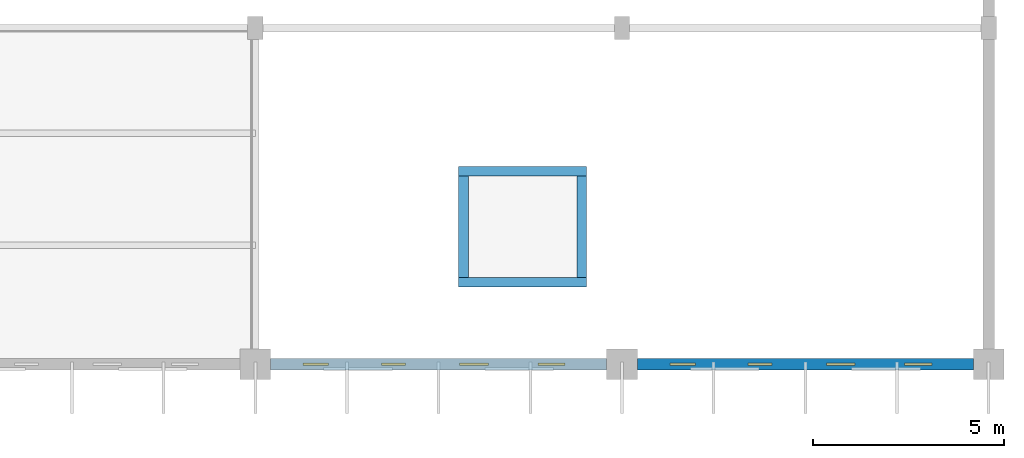
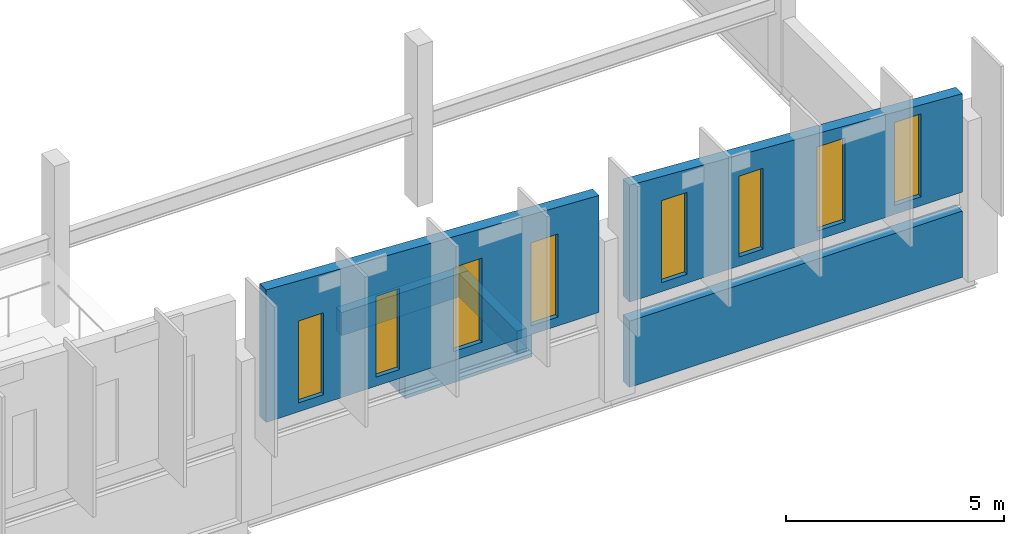
# One storey, part 93 of 114: 8 windows, 7 walls, 8 openings.
"""IFC4 building model written with IfcOpenShell, lengths in metres."""

from ifc_helpers import new_model, si_unit, direction, frame, frame_2d, origin, place, context, subcontext, project, spatial, polyline, rectangle, outline, extrude, material, layer, layer_set, type_object, element, fill, save


model = new_model("IFC4")

# Units and contexts
model_context = context("Model", 3, precision=1e-05, world=origin(), true_north=direction((0.0, 1.0)))
body_context = subcontext(model_context, "Body", "Model", "MODEL_VIEW")
ifc_project = project(units=[si_unit("LENGTHUNIT", "METRE"), si_unit("AREAUNIT", "SQUARE_METRE"), si_unit("VOLUMEUNIT", "CUBIC_METRE"), si_unit("PLANEANGLEUNIT", "RADIAN"), si_unit("MASSUNIT", "GRAM", prefix="KILO")], contexts=[model_context])

# Site, building, storey
site_placement = place(None, origin())
site = spatial("IfcSite", under=ifc_project, at=site_placement, CompositionType="ELEMENT")
building_placement = place(site_placement, origin())
building = spatial("IfcBuilding", under=site, at=building_placement, Name="Chalmorin Arch Market", CompositionType="ELEMENT")
storey_placement = place(building_placement, frame((0.0, 0.0, 9.60009765625)))
storey = spatial("IfcBuildingStorey", under=building, at=storey_placement, Name="L02", CompositionType="ELEMENT", Elevation=9.60009765625)

# Wall, openings, windows
ifc_material_1 = material(Name="Concrete C30/37", Category="concrete")
ifc_layer_1 = layer(ifc_material_1, 0.300048828125)
ifc_layer_set_1 = layer_set([ifc_layer_1], Name="Concrete C30/37")
wall_type_1 = type_object("IfcWallType", Name="ExteriorBackupWall-300", PredefinedType="STANDARD", material=ifc_layer_set_1)
wall_1_placement = place(storey_placement, frame((106.0, 6.0, 2.3798828125), z_axis=(0.0, 0.0, 1.0), x_axis=(1.0, 0.0, 0.0)))
wall_1 = element("IfcWall", 1, at=wall_1_placement, inside=storey, type_object=wall_type_1, Name="EBW-300-104", PredefinedType="STANDARD", context=body_context, shape_type="SweptSolid", body=[
    extrude(outline(polyline([(0.0, 0.0), (8.800048828125, 0.0), (8.800048828125, 3.2666015625), (0.0, 3.70458984375), (0.0, 0.0)])), frame((0.0, 0.14990234375, 0.0), z_axis=(0.0, -1.0, 0.0), x_axis=(1.0, 0.0, 0.0)), (0.0, 0.0, 1.0), 0.300048828125),
])
opening_1_placement = place(wall_1_placement, frame((0.85009765625, 0.0, 0.25)))
opening_1 = element("IfcOpeningElement", 2, at=opening_1_placement, cuts=wall_1, Name="Opening WN-050", PredefinedType="OPENING", context=body_context, shape_type="SweptSolid", body=[
    extrude(rectangle(XDim=0.669921875, YDim=2.2900390625, at=frame_2d((0.3349609375, 1.14501953125))), frame((0.0, 0.159912109375, 0.0), z_axis=(0.0, -1.0, 0.0), x_axis=(1.0, 0.0, 0.0)), (0.0, 0.0, 1.0), 0.320068359375),
])
opening_2_placement = place(wall_1_placement, frame((2.89990234375, 0.0, 0.25)))
opening_2 = element("IfcOpeningElement", 3, at=opening_2_placement, cuts=wall_1, Name="Opening WN-051", PredefinedType="OPENING", context=body_context, shape_type="SweptSolid", body=[
    extrude(rectangle(XDim=0.6298828125, YDim=2.260009765625, at=frame_2d((0.31494140625, 1.1298828125))), frame((0.0, 0.159912109375, 0.0), z_axis=(0.0, -1.0, 0.0), x_axis=(1.0, 0.0, 0.0)), (0.0, 0.0, 1.0), 0.320068359375),
])
opening_3_placement = place(wall_1_placement, frame((4.949951171875, 0.0, 0.25)))
opening_3 = element("IfcOpeningElement", 4, at=opening_3_placement, cuts=wall_1, Name="Opening WN-052", PredefinedType="OPENING", context=body_context, shape_type="SweptSolid", body=[
    extrude(rectangle(XDim=0.75, YDim=2.35009765625, at=frame_2d((0.375, 1.175048828125))), frame((0.0, 0.159912109375, 0.0), z_axis=(0.0, -1.0, 0.0), x_axis=(1.0, 0.0, 0.0)), (0.0, 0.0, 1.0), 0.320068359375),
])
opening_4_placement = place(wall_1_placement, frame((7.0, 0.0, 0.25)))
opening_4 = element("IfcOpeningElement", 5, at=opening_4_placement, cuts=wall_1, Name="Opening WN-053", PredefinedType="OPENING", context=body_context, shape_type="SweptSolid", body=[
    extrude(rectangle(XDim=0.7099609375, YDim=2.320068359375, at=frame_2d((0.35498046875, 1.16015625))), frame((0.0, 0.159912109375, 0.0), z_axis=(0.0, -1.0, 0.0), x_axis=(1.0, 0.0, 0.0)), (0.0, 0.0, 1.0), 0.320068359375),
])
ifc_material_2 = material(Name="Low-E Tempered Glass", Category="glass")
window_type_1 = type_object("IfcWindowType", Name="ClerestoryLancetWindow-750x4000", PartitioningType="SINGLE_PANEL", PredefinedType="WINDOW", material=ifc_material_2)
window_1_placement = place(opening_3_placement, origin())
window_1 = element("IfcWindow", 6, at=window_1_placement, inside=storey, type_object=window_type_1, Name="WN-052", OverallHeight=2.35009765625, OverallWidth=0.75, PartitioningType="SINGLE_PANEL", PredefinedType="WINDOW", context=body_context, shape_type="SweptSolid", body=[
    extrude(rectangle(XDim=0.75, YDim=2.35009765625, at=frame_2d((0.375, 1.175048828125))), frame((0.0, 0.030029296875, 0.0), z_axis=(0.0, -1.0, 0.0), x_axis=(1.0, 0.0, 0.0)), (0.0, 0.0, 1.0), 0.06005859375),
])
fill(opening_3, window_1)
window_type_2 = type_object("IfcWindowType", Name="ClerestoryLancetWindow-750x4000-630x2260", PartitioningType="SINGLE_PANEL", PredefinedType="WINDOW", material=ifc_material_2)
window_2_placement = place(opening_2_placement, origin())
window_2 = element("IfcWindow", 7, at=window_2_placement, inside=storey, type_object=window_type_2, Name="WN-051", OverallHeight=2.260009765625, OverallWidth=0.6298828125, PartitioningType="SINGLE_PANEL", PredefinedType="WINDOW", context=body_context, shape_type="SweptSolid", body=[
    extrude(rectangle(XDim=0.6298828125, YDim=2.260009765625, at=frame_2d((0.31494140625, 1.1298828125))), frame((0.0, 0.030029296875, 0.0), z_axis=(0.0, -1.0, 0.0), x_axis=(1.0, 0.0, 0.0)), (0.0, 0.0, 1.0), 0.06005859375),
])
fill(opening_2, window_2)
window_type_3 = type_object("IfcWindowType", Name="ClerestoryLancetWindow-750x4000-670x2290", PartitioningType="SINGLE_PANEL", PredefinedType="WINDOW", material=ifc_material_2)
window_3_placement = place(opening_1_placement, origin())
window_3 = element("IfcWindow", 8, at=window_3_placement, inside=storey, type_object=window_type_3, Name="WN-050", OverallHeight=2.2900390625, OverallWidth=0.669921875, PartitioningType="SINGLE_PANEL", PredefinedType="WINDOW", context=body_context, shape_type="SweptSolid", body=[
    extrude(rectangle(XDim=0.669921875, YDim=2.2900390625, at=frame_2d((0.3349609375, 1.14501953125))), frame((0.0, 0.030029296875, 0.0), z_axis=(0.0, -1.0, 0.0), x_axis=(1.0, 0.0, 0.0)), (0.0, 0.0, 1.0), 0.06005859375),
])
fill(opening_1, window_3)
window_type_4 = type_object("IfcWindowType", Name="ClerestoryLancetWindow-750x4000-710x2320", PartitioningType="SINGLE_PANEL", PredefinedType="WINDOW", material=ifc_material_2)
window_4_placement = place(opening_4_placement, origin())
window_4 = element("IfcWindow", 9, at=window_4_placement, inside=storey, type_object=window_type_4, Name="WN-053", OverallHeight=2.320068359375, OverallWidth=0.7099609375, PartitioningType="SINGLE_PANEL", PredefinedType="WINDOW", context=body_context, shape_type="SweptSolid", body=[
    extrude(rectangle(XDim=0.7099609375, YDim=2.320068359375, at=frame_2d((0.35498046875, 1.16015625))), frame((0.0, 0.030029296875, 0.0), z_axis=(0.0, -1.0, 0.0), x_axis=(1.0, 0.0, 0.0)), (0.0, 0.0, 1.0), 0.06005859375),
])
fill(opening_4, window_4)

# Wall
wall_2_placement = place(storey_placement, frame((115.60009765625, 6.0, 0.0), z_axis=(0.0, 0.0, 1.0), x_axis=(1.0, 0.0, 0.0)))
element("IfcWall", 10, at=wall_2_placement, inside=storey, type_object=wall_type_1, Name="EBW-300-109", PredefinedType="STANDARD", context=body_context, shape_type="SweptSolid", body=[
    extrude(rectangle(XDim=8.7998046875, YDim=0.300048828125, at=frame_2d((4.39990234375, 0.0))), origin(), (0.0, 0.0, 1.0), 1.849853515625),
])

# Wall, openings, windows
wall_3_placement = place(storey_placement, frame((115.60009765625, 6.0, 2.3798828125), z_axis=(0.0, 0.0, 1.0), x_axis=(1.0, 0.0, 0.0)))
wall_3 = element("IfcWall", 11, at=wall_3_placement, inside=storey, type_object=wall_type_1, Name="EBW-300-110", PredefinedType="STANDARD", context=body_context, shape_type="SweptSolid", body=[
    extrude(outline(polyline([(0.0, 0.0), (8.7998046875, 0.0), (8.800048828125, 2.75), (0.0, 3.2666015625), (0.0, 0.0)])), frame((0.0, 0.14990234375, 0.0), z_axis=(0.0, -1.0, 0.0), x_axis=(1.0, 0.0, 0.0)), (0.0, 0.0, 1.0), 0.300048828125),
])
opening_5_placement = place(wall_3_placement, frame((0.85009765625, 0.0, 0.25)))
opening_5 = element("IfcOpeningElement", 12, at=opening_5_placement, cuts=wall_3, Name="Opening WN-058", PredefinedType="OPENING", context=body_context, shape_type="SweptSolid", body=[
    extrude(rectangle(XDim=0.669921875, YDim=2.2900390625, at=frame_2d((0.3349609375, 1.14501953125))), frame((0.0, 0.159912109375, 0.0), z_axis=(0.0, -1.0, 0.0), x_axis=(1.0, 0.0, 0.0)), (0.0, 0.0, 1.0), 0.320068359375),
])
opening_6_placement = place(wall_3_placement, frame((2.89990234375, 0.0, 0.25)))
opening_6 = element("IfcOpeningElement", 13, at=opening_6_placement, cuts=wall_3, Name="Opening WN-059", PredefinedType="OPENING", context=body_context, shape_type="SweptSolid", body=[
    extrude(rectangle(XDim=0.6298828125, YDim=2.260009765625, at=frame_2d((0.31494140625, 1.1298828125))), frame((0.0, 0.159912109375, 0.0), z_axis=(0.0, -1.0, 0.0), x_axis=(1.0, 0.0, 0.0)), (0.0, 0.0, 1.0), 0.320068359375),
])
opening_7_placement = place(wall_3_placement, frame((4.949951171875, 0.0, 0.25)))
opening_7 = element("IfcOpeningElement", 14, at=opening_7_placement, cuts=wall_3, Name="Opening WN-060", PredefinedType="OPENING", context=body_context, shape_type="SweptSolid", body=[
    extrude(rectangle(XDim=0.75, YDim=2.35009765625, at=frame_2d((0.375, 1.175048828125))), frame((0.0, 0.159912109375, 0.0), z_axis=(0.0, -1.0, 0.0), x_axis=(1.0, 0.0, 0.0)), (0.0, 0.0, 1.0), 0.320068359375),
])
opening_8_placement = place(wall_3_placement, frame((7.0, 0.0, 0.25)))
opening_8 = element("IfcOpeningElement", 15, at=opening_8_placement, cuts=wall_3, Name="Opening WN-061", PredefinedType="OPENING", context=body_context, shape_type="SweptSolid", body=[
    extrude(rectangle(XDim=0.7099609375, YDim=2.320068359375, at=frame_2d((0.35498046875, 1.16015625))), frame((0.0, 0.159912109375, 0.0), z_axis=(0.0, -1.0, 0.0), x_axis=(1.0, 0.0, 0.0)), (0.0, 0.0, 1.0), 0.320068359375),
])
window_5_placement = place(opening_7_placement, origin())
window_5 = element("IfcWindow", 16, at=window_5_placement, inside=storey, type_object=window_type_1, Name="WN-060", OverallHeight=2.35009765625, OverallWidth=0.75, PartitioningType="SINGLE_PANEL", PredefinedType="WINDOW", context=body_context, shape_type="SweptSolid", body=[
    extrude(rectangle(XDim=0.75, YDim=2.35009765625, at=frame_2d((0.375, 1.175048828125))), frame((0.0, 0.030029296875, 0.0), z_axis=(0.0, -1.0, 0.0), x_axis=(1.0, 0.0, 0.0)), (0.0, 0.0, 1.0), 0.06005859375),
])
fill(opening_7, window_5)
window_6_placement = place(opening_6_placement, origin())
window_6 = element("IfcWindow", 17, at=window_6_placement, inside=storey, type_object=window_type_2, Name="WN-059", OverallHeight=2.260009765625, OverallWidth=0.6298828125, PartitioningType="SINGLE_PANEL", PredefinedType="WINDOW", context=body_context, shape_type="SweptSolid", body=[
    extrude(rectangle(XDim=0.6298828125, YDim=2.260009765625, at=frame_2d((0.31494140625, 1.1298828125))), frame((0.0, 0.030029296875, 0.0), z_axis=(0.0, -1.0, 0.0), x_axis=(1.0, 0.0, 0.0)), (0.0, 0.0, 1.0), 0.06005859375),
])
fill(opening_6, window_6)
window_7_placement = place(opening_5_placement, origin())
window_7 = element("IfcWindow", 18, at=window_7_placement, inside=storey, type_object=window_type_3, Name="WN-058", OverallHeight=2.2900390625, OverallWidth=0.669921875, PartitioningType="SINGLE_PANEL", PredefinedType="WINDOW", context=body_context, shape_type="SweptSolid", body=[
    extrude(rectangle(XDim=0.669921875, YDim=2.2900390625, at=frame_2d((0.3349609375, 1.14501953125))), frame((0.0, 0.030029296875, 0.0), z_axis=(0.0, -1.0, 0.0), x_axis=(1.0, 0.0, 0.0)), (0.0, 0.0, 1.0), 0.06005859375),
])
fill(opening_5, window_7)
window_8_placement = place(opening_8_placement, origin())
window_8 = element("IfcWindow", 19, at=window_8_placement, inside=storey, type_object=window_type_4, Name="WN-061", OverallHeight=2.320068359375, OverallWidth=0.7099609375, PartitioningType="SINGLE_PANEL", PredefinedType="WINDOW", context=body_context, shape_type="SweptSolid", body=[
    extrude(rectangle(XDim=0.7099609375, YDim=2.320068359375, at=frame_2d((0.35498046875, 1.16015625))), frame((0.0, 0.030029296875, 0.0), z_axis=(0.0, -1.0, 0.0), x_axis=(1.0, 0.0, 0.0)), (0.0, 0.0, 1.0), 0.06005859375),
])
fill(opening_8, window_8)

# Walls
ifc_material_3 = material(Name="Concrete C35/45", Category="concrete")
ifc_layer_2 = layer(ifc_material_3, 0.25)
ifc_layer_set_2 = layer_set([ifc_layer_2], Name="Concrete C35/45")
wall_type_2 = type_object("IfcWallType", Name="ShaftEnclosureWall-250", PredefinedType="SOLIDWALL", material=ifc_layer_set_2)
for number, where, z_axis, x_axis, name in (
    (20, (114.27490234375, 8.14990234375, 0.0), (0.0, 0.0, 1.0), (-1.0, 0.0, 0.0), "SEW-250-310"),
    (21, (110.925048828125, 11.050048828125, 0.0), (0.0, 0.0, 1.0), (1.0, 0.0, 0.0), "SEW-250-311"),
):
    element("IfcWall", number, at=place(storey_placement, frame(where, z_axis=z_axis, x_axis=x_axis)), inside=storey, type_object=wall_type_2, Name=name, PredefinedType="SOLIDWALL", context=body_context, shape_type="SweptSolid", body=[
        extrude(rectangle(XDim=3.349853515625, YDim=0.25, at=frame_2d((1.6748046875, 0.0))), origin(), (0.0, 0.0, 1.0), 0.64990234375),
    ])
for number, where, z_axis, x_axis, name in (
    (22, (111.050048828125, 8.27490234375, 0.0), (0.0, 0.0, 1.0), (0.0, 1.0, 0.0), "SEW-250-312"),
    (23, (114.14990234375, 10.925048828125, 0.0), (0.0, 0.0, 1.0), (0.0, -1.0, 0.0), "SEW-250-313"),
):
    element("IfcWall", number, at=place(storey_placement, frame(where, z_axis=z_axis, x_axis=x_axis)), inside=storey, type_object=wall_type_2, Name=name, PredefinedType="SOLIDWALL", context=body_context, shape_type="SweptSolid", body=[
        extrude(rectangle(XDim=2.650146484375, YDim=0.25, at=frame_2d((1.3251953125, 0.0))), origin(), (0.0, 0.0, 1.0), 0.64990234375),
    ])

save(model, "model.ifc")
